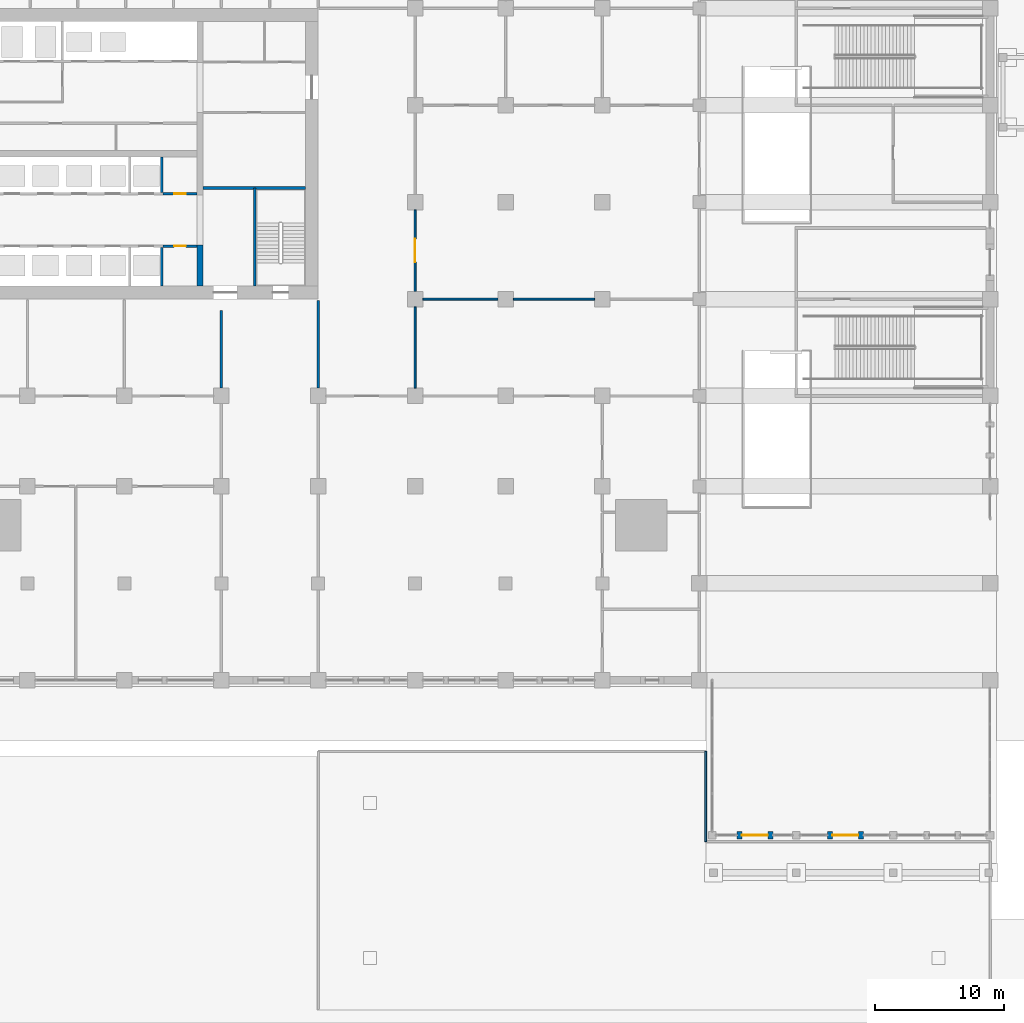
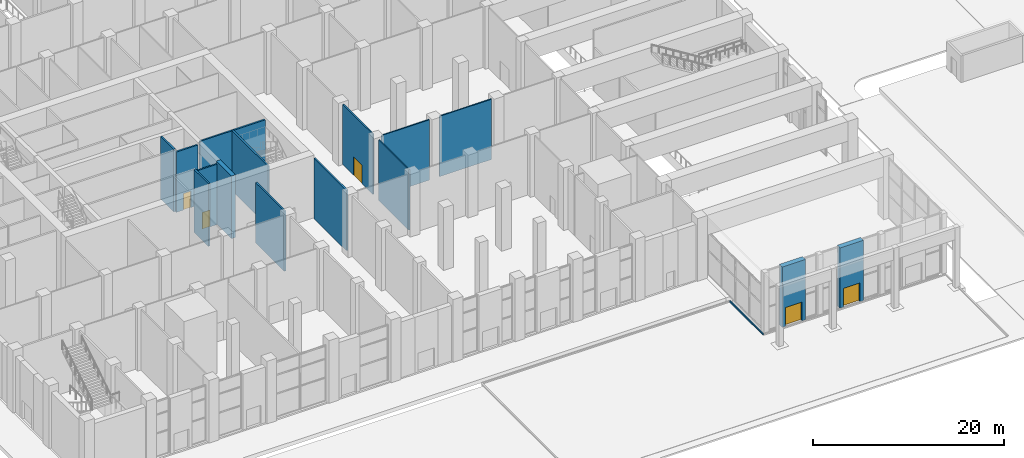
# One storey, part 26 of 57: 16 walls, 5 doors, 5 openings.
"""IFC4 building model written with IfcOpenShell, lengths in metres."""

from ifc_helpers import new_model, si_unit, direction, frame, frame_2d, origin, place, context, subcontext, project, spatial, rectangle, extrude, material, layer, layer_set, type_object, element, fill, save


model = new_model("IFC4")

# Units and contexts
model_context = context("Model", 3, precision=1e-05, world=origin(), true_north=direction((0.0, 1.0)))
body_context = subcontext(model_context, "Body", "Model", "MODEL_VIEW")
ifc_project = project(units=[si_unit("LENGTHUNIT", "METRE"), si_unit("AREAUNIT", "SQUARE_METRE"), si_unit("VOLUMEUNIT", "CUBIC_METRE"), si_unit("PLANEANGLEUNIT", "RADIAN"), si_unit("MASSUNIT", "GRAM", prefix="KILO")], contexts=[model_context])

# Site, building, storey
site_placement = place(None, origin())
site = spatial("IfcSite", under=ifc_project, at=site_placement, CompositionType="ELEMENT")
building_placement = place(site_placement, origin())
building = spatial("IfcBuilding", under=site, at=building_placement, Name="Tamorin Gate", CompositionType="ELEMENT")
storey_placement = place(building_placement, origin())
storey = spatial("IfcBuildingStorey", under=building, at=storey_placement, Name="L00", CompositionType="ELEMENT", Elevation=0.0)

# Walls
ifc_material_1 = material(Name="Reinforced concrete C32/40", Category="concrete")
ifc_layer_1 = layer(ifc_material_1, 0.199951171875)
ifc_layer_set_1 = layer_set([ifc_layer_1], Name="Exit passage wall 200")
wall_type_1 = type_object("IfcWallType", Name="Exit passage wall 200", PredefinedType="PARTITIONING", material=ifc_layer_set_1)
wall_1_placement = place(storey_placement, frame((52.5, 53.10009765625, 0.0), z_axis=(0.0, 0.0, 1.0), x_axis=(0.0, 1.0, 0.0)))
element("IfcWall", 1, at=wall_1_placement, inside=storey, type_object=wall_type_1, Name="Exit passage wall 200 L00", PredefinedType="PARTITIONING", context=body_context, shape_type="SweptSolid", body=[
    extrude(rectangle(XDim=6.0, YDim=0.199951171875, at=frame_2d((3.0, 0.0))), origin(), (0.0, 0.0, 1.0), 7.699951171875),
])
wall_2_placement = place(storey_placement, frame((60.0, 53.10009765625, 0.0), z_axis=(0.0, 0.0, 1.0), x_axis=(0.0, 1.0, 0.0)))
element("IfcWall", 2, at=wall_2_placement, inside=storey, type_object=wall_type_1, Name="Exit passage wall 200 L00", PredefinedType="PARTITIONING", context=body_context, shape_type="SweptSolid", body=[
    extrude(rectangle(XDim=6.7998046875, YDim=0.199951171875, at=frame_2d((3.39990234375, 0.0))), origin(), (0.0, 0.0, 1.0), 7.699951171875),
])
ifc_material_2 = material(Name="Concrete C32/40", Category="concrete")
ifc_layer_2 = layer(ifc_material_2, 0.199951171875)
ifc_layer_set_2 = layer_set([ifc_layer_2], Name="Lift shaft wall 200 EI 120")
wall_type_2 = type_object("IfcWallType", Name="Lift shaft wall 200 EI 120", PredefinedType="SOLIDWALL", material=ifc_layer_set_2)
wall_3_placement = place(storey_placement, frame((47.89990234375, 61.0, 0.0), z_axis=(0.0, 0.0, 1.0), x_axis=(0.0, 1.0, 0.0)))
element("IfcWall", 3, at=wall_3_placement, inside=storey, type_object=wall_type_2, Name="Lift shaft wall", PredefinedType="SOLIDWALL", context=body_context, shape_type="SweptSolid", body=[
    extrude(rectangle(XDim=3.0, YDim=0.199951171875, at=frame_2d((1.5, 0.0))), origin(), (0.0, 0.0, 1.0), 8.0),
])
wall_4_placement = place(storey_placement, frame((47.89990234375, 68.25, 0.0), z_axis=(0.0, 0.0, 1.0), x_axis=(0.0, 1.0, 0.0)))
element("IfcWall", 4, at=wall_4_placement, inside=storey, type_object=wall_type_2, Name="Lift shaft wall", PredefinedType="SOLIDWALL", context=body_context, shape_type="SweptSolid", body=[
    extrude(rectangle(XDim=2.75, YDim=0.199951171875, at=frame_2d((1.375, 0.0))), origin(), (0.0, 0.0, 1.0), 8.0),
])
ifc_material_3 = material(Name="Concrete masonry C20/25", Category="masonry")
ifc_layer_3 = layer(ifc_material_3, 0.14990234375)
ifc_layer_set_3 = layer_set([ifc_layer_3], Name="Partition 150")
wall_type_3 = type_object("IfcWallType", Name="Partition 150", PredefinedType="PARTITIONING", material=ifc_layer_set_3)
wall_5_placement = place(storey_placement, frame((68.10009765625, 60.0, 0.0), z_axis=(0.0, 0.0, 1.0), x_axis=(1.0, 0.0, 0.0)))
element("IfcWall", 5, at=wall_5_placement, inside=storey, type_object=wall_type_3, Name="Partition 150 L00", PredefinedType="PARTITIONING", context=body_context, shape_type="SweptSolid", body=[
    extrude(rectangle(XDim=5.7998046875, YDim=0.14990234375, at=frame_2d((2.89990234375, 0.0))), origin(), (0.0, 0.0, 1.0), 7.699951171875),
])
for number, where, z_axis, x_axis, name in (
    (6, (75.10009765625, 60.0, 0.0), (0.0, 0.0, 1.0), (1.0, 0.0, 0.0), "Partition 150 L00"),
    (7, (67.5, 53.10009765625, 0.0), (0.0, 0.0, 1.0), (0.0, 1.0, 0.0), "Partition 150 L00"),
):
    element("IfcWall", number, at=place(storey_placement, frame(where, z_axis=z_axis, x_axis=x_axis)), inside=storey, type_object=wall_type_3, Name=name, PredefinedType="PARTITIONING", context=body_context, shape_type="SweptSolid", body=[
        extrude(rectangle(XDim=6.2998046875, YDim=0.14990234375, at=frame_2d((3.14990234375, 0.0))), origin(), (0.0, 0.0, 1.0), 7.699951171875),
    ])

# Wall, opening, door
wall_6_placement = place(storey_placement, frame((67.5, 66.89990234375, 0.0), z_axis=(0.0, 0.0, 1.0), x_axis=(0.0, -1.0, 0.0)))
wall_6 = element("IfcWall", 8, at=wall_6_placement, inside=storey, type_object=wall_type_3, Name="Partition 150 L00", PredefinedType="PARTITIONING", context=body_context, shape_type="SweptSolid", body=[
    extrude(rectangle(XDim=6.2998046875, YDim=0.14990234375, at=frame_2d((3.14990234375, 0.0))), origin(), (0.0, 0.0, 1.0), 7.699951171875),
])
opening_1_placement = place(wall_6_placement, frame((2.25, 0.0, 0.0)))
opening_1 = element("IfcOpeningElement", 9, at=opening_1_placement, cuts=wall_6, Name="Opening DP3", PredefinedType="OPENING", context=body_context, shape_type="SweptSolid", body=[
    extrude(rectangle(XDim=1.800048828125, YDim=2.39990234375, at=frame_2d((0.89990234375, 1.199951171875))), frame((0.0, 0.0849609375, 0.0), z_axis=(0.0, -1.0, 0.0), x_axis=(1.0, 0.0, 0.0)), (0.0, 0.0, 1.0), 0.169921875),
])
ifc_material_4 = material(Name="Steel and glass", Category="steel")
door_type_1 = type_object("IfcDoorType", Name="Door pair 1800", OperationType="DOUBLE_DOOR_SINGLE_SWING", PredefinedType="DOOR", material=ifc_material_4)
door_1_placement = place(opening_1_placement, origin())
door_1 = element("IfcDoor", 10, at=door_1_placement, inside=storey, type_object=door_type_1, Name="Door pair 1800 L00", OperationType="SINGLE_SWING_LEFT", OverallHeight=2.39990234375, OverallWidth=1.800048828125, PredefinedType="DOOR", context=body_context, shape_type="SweptSolid", body=[
    extrude(rectangle(XDim=1.800048828125, YDim=2.39990234375, at=frame_2d((0.89990234375, 1.199951171875))), frame((0.0, 0.02490234375, 0.0), z_axis=(0.0, -1.0, 0.0), x_axis=(1.0, 0.0, 0.0)), (0.0, 0.0, 1.0), 0.050048828125),
])
fill(opening_1, door_1)

# Wall
ifc_material_5 = material(Name="Concrete C30/37", Category="concrete")
ifc_layer_4 = layer(ifc_material_5, 0.14990234375)
ifc_layer_set_4 = layer_set([ifc_layer_4], Name="Precast kerb 150 C30/37")
wall_type_4 = type_object("IfcWallType", Name="Precast kerb 150 C30/37", PredefinedType="STANDARD", material=ifc_layer_set_4)
wall_7_placement = place(storey_placement, frame((90.0, 25.0, 0.0), z_axis=(0.0, 0.0, 1.0), x_axis=(0.0, -1.0, 0.0)))
element("IfcWall", 11, at=wall_7_placement, inside=storey, type_object=wall_type_4, Name="Kerb", PredefinedType="STANDARD", context=body_context, shape_type="SweptSolid", body=[
    extrude(rectangle(XDim=7.0, YDim=0.14990234375, at=frame_2d((3.5, 0.0))), origin(), (0.0, 0.0, 1.0), 0.14990234375),
])

# Wall, opening, door
ifc_material_6 = material(Name="Precast concrete C40/50", Category="concrete")
ifc_layer_5 = layer(ifc_material_6, 0.60009765625)
ifc_layer_set_5 = layer_set([ifc_layer_5], Name="Precast concrete C40/50")
wall_type_5 = type_object("IfcWallType", Name="Precast plinth wall 600", PredefinedType="PARTITIONING", material=ifc_layer_set_5)
wall_8_placement = place(storey_placement, frame((95.199951171875, 18.5, 0.0), z_axis=(0.0, 0.0, 1.0), x_axis=(-1.0, 0.0, 0.0)))
wall_8 = element("IfcWall", 12, at=wall_8_placement, inside=storey, type_object=wall_type_5, Name="Precast plinth wall 600 L00", PredefinedType="PARTITIONING", context=body_context, shape_type="SweptSolid", body=[
    extrude(rectangle(XDim=2.800048828125, YDim=0.60009765625, at=frame_2d((1.39990234375, 0.0))), origin(), (0.0, 0.0, 1.0), 7.699951171875),
])
opening_2_placement = place(wall_8_placement, frame((0.39990234375, 0.0, 0.0)))
opening_2 = element("IfcOpeningElement", 13, at=opening_2_placement, cuts=wall_8, Name="Opening DP4", PredefinedType="OPENING", context=body_context, shape_type="SweptSolid", body=[
    extrude(rectangle(XDim=2.0, YDim=2.39990234375, at=frame_2d((1.0, 1.199951171875))), frame((0.0, 0.31005859375, 0.0), z_axis=(0.0, -1.0, 0.0), x_axis=(1.0, 0.0, 0.0)), (0.0, 0.0, 1.0), 0.6201171875),
])
door_type_2 = type_object("IfcDoorType", Name="Exit door pair 2000", OperationType="DOUBLE_DOOR_SINGLE_SWING", PredefinedType="DOOR", material=ifc_material_4)
door_2_placement = place(opening_2_placement, origin())
door_2 = element("IfcDoor", 14, at=door_2_placement, inside=storey, type_object=door_type_2, Name="Exit door pair 2000 L00", OperationType="SINGLE_SWING_LEFT", OverallHeight=2.39990234375, OverallWidth=2.0, PredefinedType="DOOR", context=body_context, shape_type="SweptSolid", body=[
    extrude(rectangle(XDim=2.0, YDim=2.39990234375, at=frame_2d((1.0, 1.199951171875))), frame((0.0, 0.02490234375, 0.0), z_axis=(0.0, -1.0, 0.0), x_axis=(1.0, 0.0, 0.0)), (0.0, 0.0, 1.0), 0.050048828125),
])
fill(opening_2, door_2)

wall_9_placement = place(storey_placement, frame((102.199951171875, 18.5, 0.0), z_axis=(0.0, 0.0, 1.0), x_axis=(-1.0, 0.0, 0.0)))
wall_9 = element("IfcWall", 15, at=wall_9_placement, inside=storey, type_object=wall_type_5, Name="Precast plinth wall 600 L00", PredefinedType="PARTITIONING", context=body_context, shape_type="SweptSolid", body=[
    extrude(rectangle(XDim=2.800048828125, YDim=0.60009765625, at=frame_2d((1.39990234375, 0.0))), origin(), (0.0, 0.0, 1.0), 7.699951171875),
])
opening_3_placement = place(wall_9_placement, frame((0.39990234375, 0.0, 0.0)))
opening_3 = element("IfcOpeningElement", 16, at=opening_3_placement, cuts=wall_9, Name="Opening DP4", PredefinedType="OPENING", context=body_context, shape_type="SweptSolid", body=[
    extrude(rectangle(XDim=2.0, YDim=2.39990234375, at=frame_2d((1.0, 1.199951171875))), frame((0.0, 0.31005859375, 0.0), z_axis=(0.0, -1.0, 0.0), x_axis=(1.0, 0.0, 0.0)), (0.0, 0.0, 1.0), 0.6201171875),
])
door_3_placement = place(opening_3_placement, origin())
door_3 = element("IfcDoor", 17, at=door_3_placement, inside=storey, type_object=door_type_2, Name="Exit door pair 2000 L00", OperationType="SINGLE_SWING_LEFT", OverallHeight=2.39990234375, OverallWidth=2.0, PredefinedType="DOOR", context=body_context, shape_type="SweptSolid", body=[
    extrude(rectangle(XDim=2.0, YDim=2.39990234375, at=frame_2d((1.0, 1.199951171875))), frame((0.0, 0.02490234375, 0.0), z_axis=(0.0, -1.0, 0.0), x_axis=(1.0, 0.0, 0.0)), (0.0, 0.0, 1.0), 0.050048828125),
])
fill(opening_3, door_3)

# Wall
ifc_material_7 = material(Name="Concrete C80/95", Category="concrete")
ifc_layer_6 = layer(ifc_material_7, 0.5)
ifc_layer_set_6 = layer_set([ifc_layer_6], Name="RC core internal wall 500 C80/95")
wall_type_6 = type_object("IfcWallType", Name="RC core internal wall 500 C80/95", PredefinedType="SHEAR", material=ifc_layer_set_6)
wall_10_placement = place(storey_placement, frame((50.85009765625, 61.0, 0.0), z_axis=(0.0, 0.0, 1.0), x_axis=(0.0, 1.0, 0.0)))
element("IfcWall", 18, at=wall_10_placement, inside=storey, type_object=wall_type_6, Name="Core cross wall L00", PredefinedType="SHEAR", context=body_context, shape_type="SweptSolid", body=[
    extrude(rectangle(XDim=3.199951171875, YDim=0.5, at=frame_2d((1.60009765625, 0.0))), origin(), (0.0, 0.0, 1.0), 8.0),
])

# Wall, opening, door
ifc_material_8 = material(Name="Gypsum board partition")
ifc_layer_7 = layer(ifc_material_8, 0.199951171875)
ifc_layer_set_7 = layer_set([ifc_layer_7], Name="Service room face wall 200 EI 60")
wall_type_7 = type_object("IfcWallType", Name="Service room face wall 200 EI 60", PredefinedType="PARTITIONING", material=ifc_layer_set_7)
wall_11_placement = place(storey_placement, frame((48.0, 64.10009765625, 0.0), z_axis=(0.0, 0.0, 1.0), x_axis=(1.0, 0.0, 0.0)))
wall_11 = element("IfcWall", 19, at=wall_11_placement, inside=storey, type_object=wall_type_7, Name="Service room face wall", PredefinedType="PARTITIONING", context=body_context, shape_type="SweptSolid", body=[
    extrude(rectangle(XDim=2.60009765625, YDim=0.199951171875, at=frame_2d((1.300048828125, 0.0))), origin(), (0.0, 0.0, 1.0), 7.699951171875),
])
opening_4_placement = place(wall_11_placement, frame((0.85009765625, 0.0, 0.0)))
opening_4 = element("IfcOpeningElement", 20, at=opening_4_placement, cuts=wall_11, Name="Opening DK1", PredefinedType="OPENING", context=body_context, shape_type="SweptSolid", body=[
    extrude(rectangle(XDim=0.89990234375, YDim=2.10009765625, at=frame_2d((0.449951171875, 1.050048828125))), frame((0.0, 0.10986328125, 0.0), z_axis=(0.0, -1.0, 0.0), x_axis=(1.0, 0.0, 0.0)), (0.0, 0.0, 1.0), 0.219970703125),
])
ifc_material_9 = material(Name="Timber fire door", Category="wood")
door_type_3 = type_object("IfcDoorType", Name="Service room door 900 x 2100 EI 60", OperationType="SINGLE_SWING_LEFT", PredefinedType="DOOR", material=ifc_material_9)
door_4_placement = place(opening_4_placement, origin())
door_4 = element("IfcDoor", 21, at=door_4_placement, inside=storey, type_object=door_type_3, Name="Door Cleaner's store", OperationType="SINGLE_SWING_RIGHT", OverallHeight=2.10009765625, OverallWidth=0.89990234375, PredefinedType="DOOR", context=body_context, shape_type="SweptSolid", body=[
    extrude(rectangle(XDim=0.89990234375, YDim=2.10009765625, at=frame_2d((0.449951171875, 1.050048828125))), frame((0.0, 0.02490234375, 0.0), z_axis=(0.0, -1.0, 0.0), x_axis=(1.0, 0.0, 0.0)), (0.0, 0.0, 1.0), 0.050048828125),
])
fill(opening_4, door_4)

wall_12_placement = place(storey_placement, frame((48.0, 68.14990234375, 0.0), z_axis=(0.0, 0.0, 1.0), x_axis=(1.0, 0.0, 0.0)))
wall_12 = element("IfcWall", 22, at=wall_12_placement, inside=storey, type_object=wall_type_7, Name="Service room face wall", PredefinedType="PARTITIONING", context=body_context, shape_type="SweptSolid", body=[
    extrude(rectangle(XDim=2.60009765625, YDim=0.199951171875, at=frame_2d((1.300048828125, 0.0))), origin(), (0.0, 0.0, 1.0), 7.699951171875),
])
opening_5_placement = place(wall_12_placement, frame((0.85009765625, 0.0, 0.0)))
opening_5 = element("IfcOpeningElement", 23, at=opening_5_placement, cuts=wall_12, Name="Opening DK1", PredefinedType="OPENING", context=body_context, shape_type="SweptSolid", body=[
    extrude(rectangle(XDim=0.89990234375, YDim=2.10009765625, at=frame_2d((0.449951171875, 1.050048828125))), frame((0.0, 0.10986328125, 0.0), z_axis=(0.0, -1.0, 0.0), x_axis=(1.0, 0.0, 0.0)), (0.0, 0.0, 1.0), 0.219970703125),
])
door_5_placement = place(opening_5_placement, origin())
door_5 = element("IfcDoor", 24, at=door_5_placement, inside=storey, type_object=door_type_3, Name="Door Pump room", OperationType="SINGLE_SWING_RIGHT", OverallHeight=2.10009765625, OverallWidth=0.89990234375, PredefinedType="DOOR", context=body_context, shape_type="SweptSolid", body=[
    extrude(rectangle(XDim=0.89990234375, YDim=2.10009765625, at=frame_2d((0.449951171875, 1.050048828125))), frame((0.0, 0.02490234375, 0.0), z_axis=(0.0, -1.0, 0.0), x_axis=(1.0, 0.0, 0.0)), (0.0, 0.0, 1.0), 0.050048828125),
])
fill(opening_5, door_5)

# Walls
ifc_material_10 = material(Name="Concrete C40/50", Category="concrete")
ifc_layer_8 = layer(ifc_material_10, 0.199951171875)
ifc_layer_set_8 = layer_set([ifc_layer_8], Name="Stair enclosure wall 200 EI 120 C40/50")
wall_type_8 = type_object("IfcWallType", Name="Stair enclosure wall 200 EI 120 C40/50", PredefinedType="SOLIDWALL", material=ifc_layer_set_8)
wall_13_placement = place(storey_placement, frame((55.10009765625, 61.0, 0.0), z_axis=(0.0, 0.0, 1.0), x_axis=(0.0, 1.0, 0.0)))
element("IfcWall", 25, at=wall_13_placement, inside=storey, type_object=wall_type_8, Name="Stair enclosure wall", PredefinedType="SOLIDWALL", context=body_context, shape_type="SweptSolid", body=[
    extrude(rectangle(XDim=7.60009765625, YDim=0.199951171875, at=frame_2d((3.800048828125, 0.0))), origin(), (0.0, 0.0, 1.0), 7.699951171875),
])
wall_14_placement = place(storey_placement, frame((51.10009765625, 68.60009765625, 0.0), z_axis=(0.0, 0.0, 1.0), x_axis=(1.0, 0.0, 0.0)))
element("IfcWall", 26, at=wall_14_placement, inside=storey, type_object=wall_type_8, Name="Stair enclosure wall", PredefinedType="SOLIDWALL", context=body_context, shape_type="SweptSolid", body=[
    extrude(rectangle(XDim=7.89990234375, YDim=0.199951171875, at=frame_2d((3.949951171875, 0.0))), origin(), (0.0, 0.0, 1.0), 7.699951171875),
])

save(model, "model.ifc")
